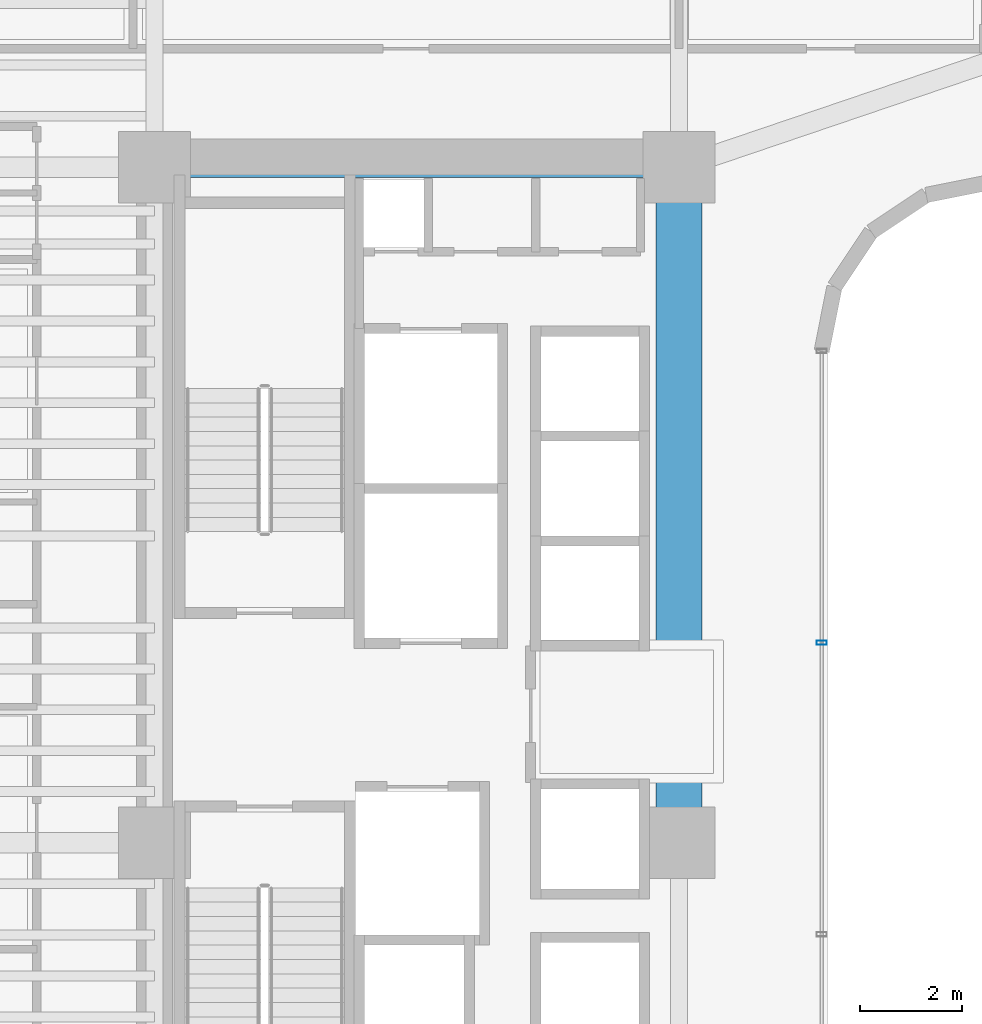
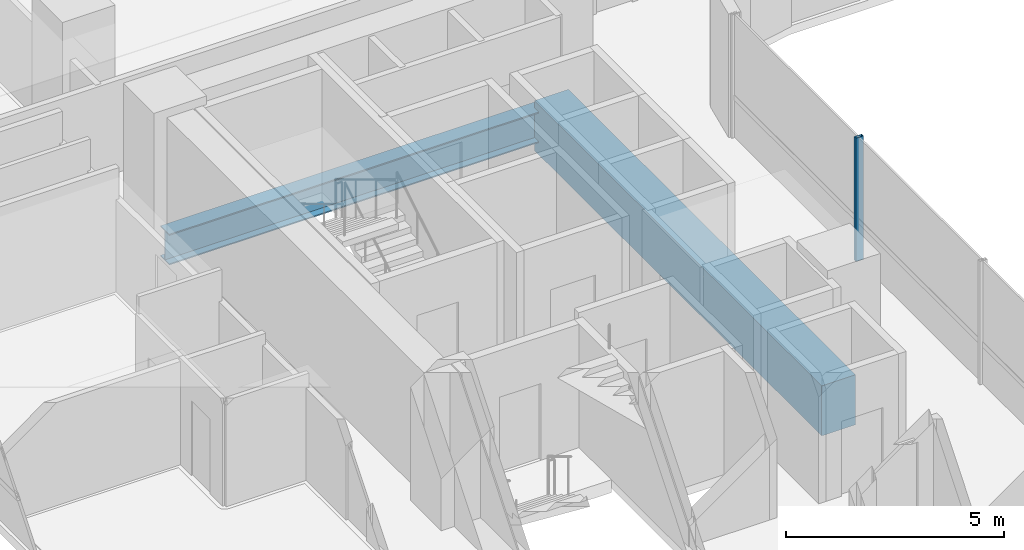
# One storey, part 12 of 41: 2 beams, 1 member, 1 element without a shape of its own.
"""IFC4 building model written with IfcOpenShell, lengths in metres."""

from ifc_helpers import new_model, si_unit, direction, frame, origin, origin_2d, place, context, subcontext, project, spatial, rectangle, hollow_rectangle, i_section, extrude, source, transform, mapped, material, material_profile, profile_set, type_object, element, aggregate, save


model = new_model("IFC4")

# Units and contexts
model_context = context("Model", 3, precision=1e-05, world=origin(), true_north=direction((0.0, 1.0)))
body_context = subcontext(model_context, "Body", "Model", "MODEL_VIEW")
ifc_project = project(units=[si_unit("LENGTHUNIT", "METRE"), si_unit("AREAUNIT", "SQUARE_METRE"), si_unit("VOLUMEUNIT", "CUBIC_METRE"), si_unit("PLANEANGLEUNIT", "RADIAN"), si_unit("MASSUNIT", "GRAM", prefix="KILO")], contexts=[model_context])

# Site, building, storey
site_placement = place(None, origin())
site = spatial("IfcSite", under=ifc_project, at=site_placement, CompositionType="ELEMENT")
building_placement = place(site_placement, origin())
building = spatial("IfcBuilding", under=site, at=building_placement, Name="Valdorenza Pilgrim Sanctuary Tower", CompositionType="ELEMENT")
storey_placement = place(building_placement, frame((0.0, 0.0, 85.199951171875)))
storey = spatial("IfcBuildingStorey", under=building, at=storey_placement, Name="L21", CompositionType="ELEMENT", Elevation=85.199951171875)

# Beams
ifc_material_1 = material(Name="Concrete C60/75", Category="concrete")
ifc_material_profile_1 = material_profile(ifc_material_1, rectangle(XDim=0.89990234375, YDim=1.39990234375, at=origin_2d()), Name="RC 1400x900")
ifc_profile_set_1 = profile_set([ifc_material_profile_1], Name="Concrete C60/75")
beam_type_1 = type_object("IfcBeamType", Name="STR-BM-LNT-1400", PredefinedType="LINTEL", material=ifc_profile_set_1)
shared_shape_1 = source(origin(), body_context, "Body", "SweptSolid", [
    extrude(rectangle(XDim=0.89990234375, YDim=1.39990234375, at=origin_2d()), origin(), (0.0, 0.0, 1.0), 13.2001953125),
])
beam_1_placement = place(storey_placement, frame((-12.39990234375, -2.60009765625, -0.739990234375), z_axis=(0.0, 1.0, 0.0), x_axis=(-1.0, 0.0, 0.0)))
element("IfcBeam", 1, at=beam_1_placement, inside=storey, type_object=beam_type_1, Name="L21 Core A Coupling Lintel Girder", PredefinedType="LINTEL", context=body_context, shape_type="MappedRepresentation", body=[
    mapped(shared_shape_1, transform((0.0, 0.0, 0.0), x_axis=(1.0, 0.0, 0.0), y_axis=(0.0, 1.0, 0.0), z_axis=(0.0, 0.0, 1.0), scale=1.0)),
])
ifc_material_2 = material(Name="Steel ASTM A992 Grade 50", Category="steel")
ifc_material_profile_2 = material_profile(ifc_material_2, i_section(OverallWidth=0.39990234375, OverallDepth=0.862060546875, WebThickness=0.019775390625, FlangeThickness=0.032470703125, at=origin_2d()), Name="W33X221")
ifc_profile_set_2 = profile_set([ifc_material_profile_2], Name="Steel ASTM A992 Grade 50")
beam_type_2 = type_object("IfcBeamType", Name="STR-BM-GRD-W33", PredefinedType="BEAM", material=ifc_profile_set_2)
shared_shape_2 = source(origin(), body_context, "Body", "SweptSolid", [
    extrude(i_section(OverallWidth=0.39990234375, OverallDepth=0.862060546875, WebThickness=0.019775390625, FlangeThickness=0.032470703125, at=origin_2d()), origin(), (0.0, 0.0, 1.0), 10.25),
])
beam_2_placement = place(storey_placement, frame((-22.64990234375, 10.60009765625, -0.6708984375), z_axis=(1.0, 0.0, 0.0), x_axis=(0.0, 1.0, 0.0)))
element("IfcBeam", 2, at=beam_2_placement, inside=storey, type_object=beam_type_2, Name="L21 Floor Girder CA-XC-N1", PredefinedType="BEAM", context=body_context, shape_type="MappedRepresentation", body=[
    mapped(shared_shape_2, transform((0.0, 0.0, 0.0), x_axis=(1.0, 0.0, 0.0), y_axis=(0.0, 1.0, 0.0), z_axis=(0.0, 0.0, 1.0), scale=1.0)),
])

# Curtain wall, member
ifc_material_3 = material(Name="Curtain-wall IGU glazing", Category="glass")
curtain_wall_type = type_object("IfcCurtainWallType", Name="CW-SYS-02", PredefinedType="NOTDEFINED", material=ifc_material_3)
curtain_wall_placement = place(storey_placement, origin())
curtain_wall = element("IfcCurtainWall", 3, at=curtain_wall_placement, inside=storey, type_object=curtain_wall_type, Name="L21 Curtain Wall CW-L21-1-41", PredefinedType="NOTDEFINED")
ifc_material_4 = material(Name="Anodised aluminium AW-6060", Category="aluminium")
ifc_material_profile_3 = material_profile(ifc_material_4, hollow_rectangle(XDim=0.0849609375, YDim=0.199951171875, WallThickness=0.0048828125, at=origin_2d()), Name="ALU-M 200x85x5")
ifc_profile_set_3 = profile_set([ifc_material_profile_3], Name="Anodised aluminium AW-6060")
member_type = type_object("IfcMemberType", Name="CW-MUL-02", PredefinedType="MULLION", material=ifc_profile_set_3)
shared_shape_3 = source(origin(), body_context, "Body", "SweptSolid", [
    extrude(hollow_rectangle(XDim=0.0849609375, YDim=0.199951171875, WallThickness=0.0048828125, at=origin_2d()), origin(), (0.0, 0.0, 1.0), 3.4599609375),
])
member_placement = place(storey_placement, frame((-9.610107421875, 1.310791015625, 0.0), z_axis=(0.0, 0.0, 1.0), x_axis=(0.0, -1.0, 0.0)))
member = element("IfcMember", 4, at=member_placement, type_object=member_type, Name="CW-L21-1-41 Mullion 2", PredefinedType="MULLION", context=body_context, shape_type="MappedRepresentation", body=[
    mapped(shared_shape_3, transform((0.0, 0.0, 0.0), x_axis=(1.0, 0.0, 0.0), y_axis=(0.0, 1.0, 0.0), z_axis=(0.0, 0.0, 1.0), scale=1.0)),
])
aggregate(curtain_wall, [member])

save(model, "model.ifc")
